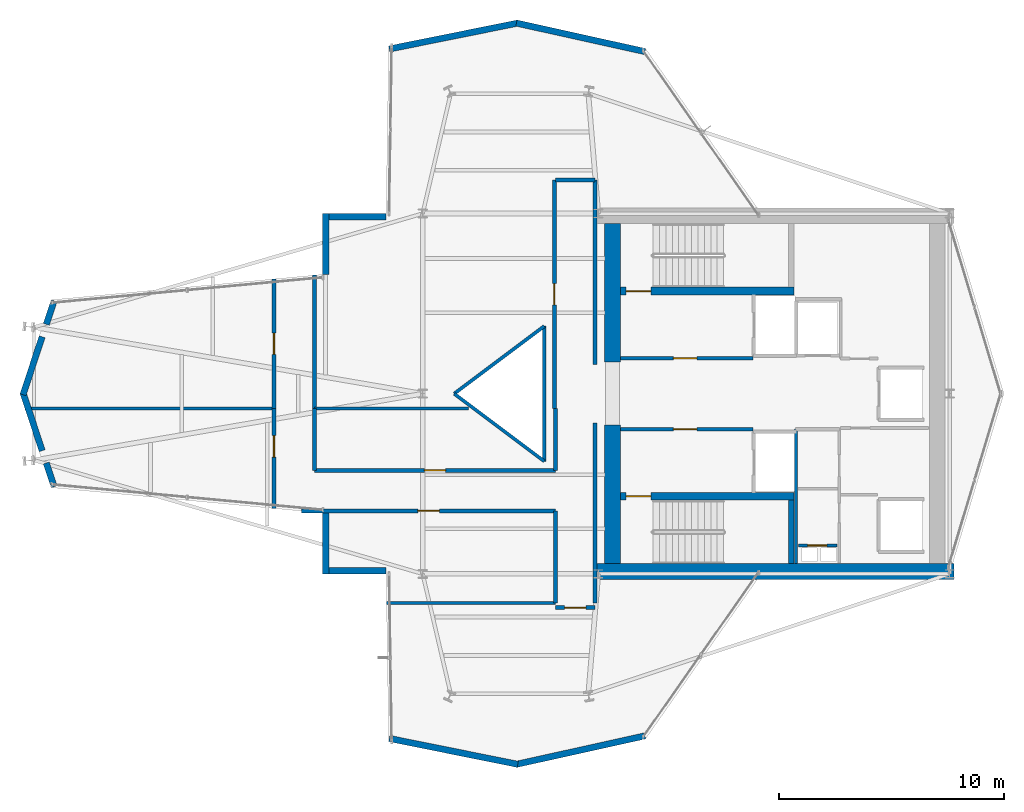
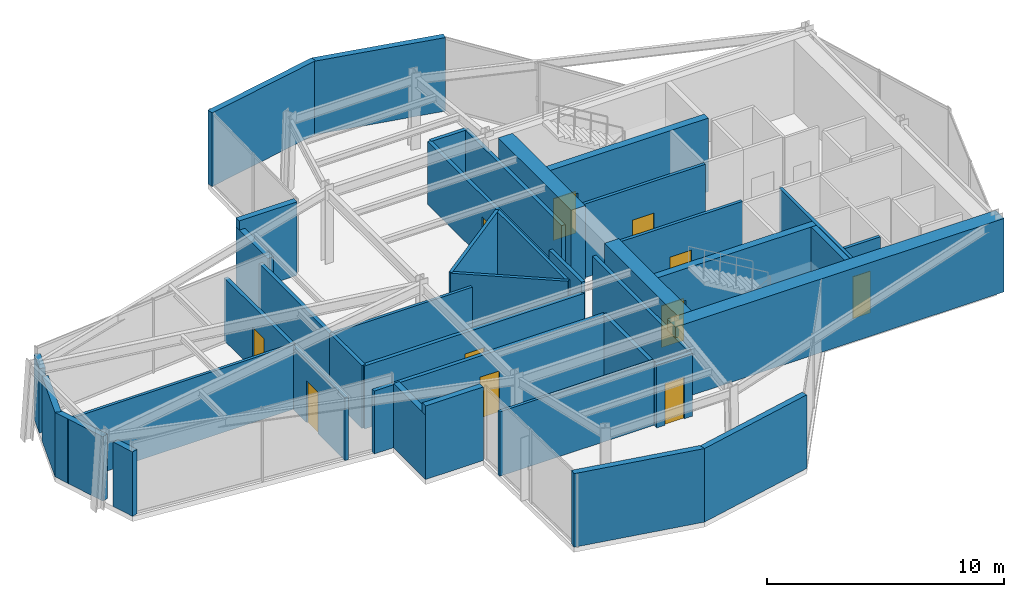
# One storey, part 21 of 23: 41 walls, 11 doors, 11 openings.
"""IFC4 building model written with IfcOpenShell, lengths in metres."""

from ifc_helpers import new_model, si_unit, direction, frame, frame_2d, origin, place, context, subcontext, project, spatial, rectangle, extrude, material, layer, layer_set, type_object, element, fill, save


model = new_model("IFC4")

# Units and contexts
model_context = context("Model", 3, precision=1e-05, world=origin(), true_north=direction((0.0, 1.0)))
body_context = subcontext(model_context, "Body", "Model", "MODEL_VIEW")
ifc_project = project(units=[si_unit("LENGTHUNIT", "METRE"), si_unit("AREAUNIT", "SQUARE_METRE"), si_unit("VOLUMEUNIT", "CUBIC_METRE"), si_unit("PLANEANGLEUNIT", "RADIAN"), si_unit("MASSUNIT", "GRAM", prefix="KILO")], contexts=[model_context])

# Site, building, storey
site_placement = place(None, origin())
site = spatial("IfcSite", under=ifc_project, at=site_placement, CompositionType="ELEMENT")
building_placement = place(site_placement, origin())
building = spatial("IfcBuilding", under=site, at=building_placement, Name="Veymaron Broadcast Tower", CompositionType="ELEMENT")
storey_placement = place(building_placement, frame((0.0, 0.0, 224.25)))
storey = spatial("IfcBuildingStorey", under=building, at=storey_placement, Name="L52", CompositionType="ELEMENT", Elevation=224.25)

# Walls
ifc_material_1 = material(Name="Precast concrete C40/50", Category="concrete")
ifc_layer_1 = layer(ifc_material_1, 0.280029296875)
ifc_layer_set_1 = layer_set([ifc_layer_1], Name="Precast concrete C40/50")
wall_type_1 = type_object("IfcWallType", Name="WALL-EXT-280", PredefinedType="STANDARD", material=ifc_layer_set_1)
wall_1_placement = place(storey_placement, frame((41.072021484375, 39.193359375, 0.0), z_axis=(0.0, 0.0, 1.0), x_axis=(-0.976309738065, 0.216377668346, 0.0)))
element("IfcWall", 1, at=wall_1_placement, inside=storey, type_object=wall_type_1, Name="L52 notched corner facade pier 6-1", PredefinedType="STANDARD", context=body_context, shape_type="SweptSolid", body=[
    extrude(rectangle(XDim=5.845703125, YDim=0.280029296875, at=frame_2d((2.9228515625, 0.0))), origin(), (0.0, 0.0, 1.0), 3.7900390625),
])
wall_2_placement = place(storey_placement, frame((35.422607421875, 40.457763671875, 0.0), z_axis=(0.0, 0.0, 1.0), x_axis=(-0.98030065813, -0.197511062146, 0.0)))
element("IfcWall", 2, at=wall_2_placement, inside=storey, type_object=wall_type_1, Name="L52 notched corner facade pier 7-1", PredefinedType="STANDARD", context=body_context, shape_type="SweptSolid", body=[
    extrude(rectangle(XDim=5.822021484375, YDim=0.280029296875, at=frame_2d((2.9111328125, 0.0))), origin(), (0.0, 0.0, 1.0), 3.7900390625),
])
wall_3_placement = place(storey_placement, frame((29.572509765625, 31.860107421875, 0.0), z_axis=(0.0, 0.0, 1.0), x_axis=(-1.0, 0.0, 0.0)))
element("IfcWall", 3, at=wall_3_placement, inside=storey, type_object=wall_type_1, Name="L52 notched corner facade pier 9-1", PredefinedType="STANDARD", context=body_context, shape_type="SweptSolid", body=[
    extrude(rectangle(XDim=2.8125, YDim=0.280029296875, at=frame_2d((1.40625, 0.0))), origin(), (0.0, 0.0, 1.0), 3.7900390625),
])
wall_4_placement = place(storey_placement, frame((26.89990234375, 32.0, 0.0), z_axis=(0.0, 0.0, 1.0), x_axis=(0.0, -1.0, 0.0)))
element("IfcWall", 4, at=wall_4_placement, inside=storey, type_object=wall_type_1, Name="L52 notched corner facade pier 10-1", PredefinedType="STANDARD", context=body_context, shape_type="SweptSolid", body=[
    extrude(rectangle(XDim=2.69970703125, YDim=0.280029296875, at=frame_2d((1.349853515625, 0.0))), origin(), (0.0, 0.0, 1.0), 3.319091796875),
])
wall_5_placement = place(storey_placement, frame((14.8330078125, 28.126708984375, 0.0), z_axis=(0.0, 0.0, 1.0), x_axis=(-0.314169433691, -0.949366929556, 0.0)))
element("IfcWall", 5, at=wall_5_placement, inside=storey, type_object=wall_type_1, Name="L52 notched corner facade pier 12-1", PredefinedType="STANDARD", context=body_context, shape_type="SweptSolid", body=[
    extrude(rectangle(XDim=1.103515625, YDim=0.280029296875, at=frame_2d((0.5517578125, 0.0))), origin(), (0.0, 0.0, 1.0), 3.319091796875),
])
for number, where, z_axis, x_axis, name in (
    (6, (14.3046875, 26.530029296875, 0.0), (0.0, 0.0, 1.0), (-0.314173954087, -0.949365433631, 0.0), "L52 notched corner facade pier 12-2"),
    (7, (13.452880859375, 24.0439453125, 0.0), (0.0, 0.0, 1.0), (0.314173954087, -0.949365433631, 0.0), "L52 notched corner facade pier 13-1"),
):
    element("IfcWall", number, at=place(storey_placement, frame(where, z_axis=z_axis, x_axis=x_axis)), inside=storey, type_object=wall_type_1, Name=name, PredefinedType="STANDARD", context=body_context, shape_type="SweptSolid", body=[
        extrude(rectangle(XDim=2.711181640625, YDim=0.280029296875, at=frame_2d((1.35546875, 0.0))), origin(), (0.0, 0.0, 1.0), 3.319091796875),
    ])
wall_6_placement = place(storey_placement, frame((14.486328125, 20.9208984375, 0.0), z_axis=(0.0, 0.0, 1.0), x_axis=(0.314169433691, -0.949366929556, 0.0)))
element("IfcWall", 8, at=wall_6_placement, inside=storey, type_object=wall_type_1, Name="L52 notched corner facade pier 13-2", PredefinedType="STANDARD", context=body_context, shape_type="SweptSolid", body=[
    extrude(rectangle(XDim=1.103515625, YDim=0.280029296875, at=frame_2d((0.5517578125, 0.0))), origin(), (0.0, 0.0, 1.0), 3.319091796875),
])
wall_7_placement = place(storey_placement, frame((26.89990234375, 18.69970703125, 0.0), z_axis=(0.0, 0.0, 1.0), x_axis=(0.0, -1.0, 0.0)))
element("IfcWall", 9, at=wall_7_placement, inside=storey, type_object=wall_type_1, Name="L52 notched corner facade pier 15-1", PredefinedType="STANDARD", context=body_context, shape_type="SweptSolid", body=[
    extrude(rectangle(XDim=2.69970703125, YDim=0.280029296875, at=frame_2d((1.349853515625, 0.0))), origin(), (0.0, 0.0, 1.0), 3.319091796875),
])
wall_8_placement = place(storey_placement, frame((26.760009765625, 16.139892578125, 0.0), z_axis=(0.0, 0.0, 1.0), x_axis=(1.0, 0.0, 0.0)))
element("IfcWall", 10, at=wall_8_placement, inside=storey, type_object=wall_type_1, Name="L52 notched corner facade pier 16-1", PredefinedType="STANDARD", context=body_context, shape_type="SweptSolid", body=[
    extrude(rectangle(XDim=2.8125, YDim=0.280029296875, at=frame_2d((1.40625, 0.0))), origin(), (0.0, 0.0, 1.0), 3.7900390625),
])
wall_9_placement = place(storey_placement, frame((29.71533203125, 8.692138671875, 0.0), z_axis=(0.0, 0.0, 1.0), x_axis=(0.98030065813, -0.197511062146, 0.0)))
element("IfcWall", 11, at=wall_9_placement, inside=storey, type_object=wall_type_1, Name="L52 notched corner facade pier 18-1", PredefinedType="STANDARD", context=body_context, shape_type="SweptSolid", body=[
    extrude(rectangle(XDim=5.822021484375, YDim=0.280029296875, at=frame_2d((2.9111328125, 0.0))), origin(), (0.0, 0.0, 1.0), 3.7900390625),
])
wall_10_placement = place(storey_placement, frame((35.36474609375, 7.541748046875, 0.0), z_axis=(0.0, 0.0, 1.0), x_axis=(0.976309738065, 0.216377668346, 0.0)))
element("IfcWall", 12, at=wall_10_placement, inside=storey, type_object=wall_type_1, Name="L52 notched corner facade pier 19-1", PredefinedType="STANDARD", context=body_context, shape_type="SweptSolid", body=[
    extrude(rectangle(XDim=5.845703125, YDim=0.280029296875, at=frame_2d((2.9228515625, 0.0))), origin(), (0.0, 0.0, 1.0), 3.7900390625),
])

# Wall, opening, door
ifc_material_2 = material(Name="Gypsum fireboard and steel stud framing", Category="steel")
ifc_layer_2 = layer(ifc_material_2, 0.14990234375)
ifc_layer_set_2 = layer_set([ifc_layer_2], Name="Gypsum fireboard and steel stud framing")
wall_type_2 = type_object("IfcWallType", Name="WALL-FIRE-150", PredefinedType="PARTITIONING", material=ifc_layer_set_2)
wall_11_placement = place(storey_placement, frame((39.97998046875, 25.574951171875, 0.0), z_axis=(0.0, 0.0, 1.0), x_axis=(1.0, 0.0, 0.0)))
wall_11 = element("IfcWall", 13, at=wall_11_placement, inside=storey, type_object=wall_type_2, Name="L52 partition IW-L52-FFLN-S", PredefinedType="PARTITIONING", context=body_context, shape_type="SweptSolid", body=[
    extrude(rectangle(XDim=5.89990234375, YDim=0.14990234375, at=frame_2d((2.949951171875, 0.0))), origin(), (0.0, 0.0, 1.0), 3.7900390625),
])
opening_1_placement = place(wall_11_placement, frame((2.35009765625, 0.0, 0.0)))
opening_1 = element("IfcOpeningElement", 14, at=opening_1_placement, cuts=wall_11, Name="Opening ID-FL1", PredefinedType="OPENING", context=body_context, shape_type="SweptSolid", body=[
    extrude(rectangle(XDim=1.050048828125, YDim=2.14990234375, at=frame_2d((0.52490234375, 1.074951171875))), frame((0.0, 0.0849609375, 0.0), z_axis=(0.0, -1.0, 0.0), x_axis=(1.0, 0.0, 0.0)), (0.0, 0.0, 1.0), 0.169921875),
])
ifc_material_3 = material(Name="Fire-rated painted hollow steel ASTM A653", Category="steel")
door_type_1 = type_object("IfcDoorType", Name="DOOR-FIRE-1050", OperationType="NOTDEFINED", PredefinedType="DOOR", material=ifc_material_3)
door_1_placement = place(opening_1_placement, origin())
door_1 = element("IfcDoor", 15, at=door_1_placement, inside=storey, type_object=door_type_1, Name="L52 door DR-L52-FFLN", OperationType="SINGLE_SWING_LEFT", OverallHeight=2.14990234375, OverallWidth=1.050048828125, PredefinedType="DOOR", context=body_context, shape_type="SweptSolid", body=[
    extrude(rectangle(XDim=1.050048828125, YDim=2.14990234375, at=frame_2d((0.52490234375, 1.074951171875))), frame((0.0, 0.02490234375, 0.0), z_axis=(0.0, -1.0, 0.0), x_axis=(1.0, 0.0, 0.0)), (0.0, 0.0, 1.0), 0.050048828125),
])
fill(opening_1, door_1)

wall_12_placement = place(storey_placement, frame((39.97998046875, 22.425048828125, 0.0), z_axis=(0.0, 0.0, 1.0), x_axis=(1.0, 0.0, 0.0)))
wall_12 = element("IfcWall", 16, at=wall_12_placement, inside=storey, type_object=wall_type_2, Name="L52 partition IW-L52-FFLS-N", PredefinedType="PARTITIONING", context=body_context, shape_type="SweptSolid", body=[
    extrude(rectangle(XDim=5.89990234375, YDim=0.14990234375, at=frame_2d((2.949951171875, 0.0))), origin(), (0.0, 0.0, 1.0), 3.7900390625),
])
opening_2_placement = place(wall_12_placement, frame((2.35009765625, 0.0, 0.0)))
opening_2 = element("IfcOpeningElement", 17, at=opening_2_placement, cuts=wall_12, Name="Opening ID-FL1", PredefinedType="OPENING", context=body_context, shape_type="SweptSolid", body=[
    extrude(rectangle(XDim=1.050048828125, YDim=2.14990234375, at=frame_2d((0.52490234375, 1.074951171875))), frame((0.0, 0.0849609375, 0.0), z_axis=(0.0, -1.0, 0.0), x_axis=(1.0, 0.0, 0.0)), (0.0, 0.0, 1.0), 0.169921875),
])
door_2_placement = place(opening_2_placement, frame((1.050048828125, 0.0, 0.0), z_axis=(0.0, 0.0, 1.0), x_axis=(-1.0, 0.0, 0.0)))
door_2 = element("IfcDoor", 18, at=door_2_placement, inside=storey, type_object=door_type_1, Name="L52 door DR-L52-FFLS", OperationType="SINGLE_SWING_RIGHT", OverallHeight=2.14990234375, OverallWidth=1.050048828125, PredefinedType="DOOR", context=body_context, shape_type="SweptSolid", body=[
    extrude(rectangle(XDim=1.050048828125, YDim=2.14990234375, at=frame_2d((0.52490234375, 1.074951171875))), frame((0.0, 0.02490234375, 0.0), z_axis=(0.0, -1.0, 0.0), x_axis=(1.0, 0.0, 0.0)), (0.0, 0.0, 1.0), 0.050048828125),
])
fill(opening_2, door_2)

wall_13_placement = place(storey_placement, frame((47.8798828125, 17.260009765625, 0.0), z_axis=(0.0, 0.0, 1.0), x_axis=(1.0, 0.0, 0.0)))
wall_13 = element("IfcWall", 19, at=wall_13_placement, inside=storey, type_object=wall_type_2, Name="L52 partition IW-L52-RIS-N", PredefinedType="PARTITIONING", context=body_context, shape_type="SweptSolid", body=[
    extrude(rectangle(XDim=1.72021484375, YDim=0.14990234375, at=frame_2d((0.860107421875, 0.0))), origin(), (0.0, 0.0, 1.0), 3.7900390625),
])
opening_3_placement = place(wall_13_placement, frame((0.419921875, 0.0, 0.0)))
opening_3 = element("IfcOpeningElement", 20, at=opening_3_placement, cuts=wall_13, Name="Opening ID-RS1", PredefinedType="OPENING", context=body_context, shape_type="SweptSolid", body=[
    extrude(rectangle(XDim=0.85009765625, YDim=2.14990234375, at=frame_2d((0.425048828125, 1.074951171875))), frame((0.0, 0.0849609375, 0.0), z_axis=(0.0, -1.0, 0.0), x_axis=(1.0, 0.0, 0.0)), (0.0, 0.0, 1.0), 0.169921875),
])
ifc_material_4 = material(Name="Fire-rated powder-coated steel riser leaf", Category="steel")
door_type_2 = type_object("IfcDoorType", Name="DOOR-RIS-850", OperationType="NOTDEFINED", PredefinedType="TRAPDOOR", material=ifc_material_4)
door_3_placement = place(opening_3_placement, origin())
door_3 = element("IfcDoor", 21, at=door_3_placement, inside=storey, type_object=door_type_2, Name="L52 door DR-L52-RIS", OperationType="SINGLE_SWING_LEFT", OverallHeight=2.14990234375, OverallWidth=0.85009765625, PredefinedType="TRAPDOOR", context=body_context, shape_type="SweptSolid", body=[
    extrude(rectangle(XDim=0.85009765625, YDim=2.14990234375, at=frame_2d((0.425048828125, 1.074951171875))), frame((0.0, 0.02490234375, 0.0), z_axis=(0.0, -1.0, 0.0), x_axis=(1.0, 0.0, 0.0)), (0.0, 0.0, 1.0), 0.050048828125),
])
fill(opening_3, door_3)

# Wall
wall_14_placement = place(storey_placement, frame((47.780029296875, 16.449951171875, 0.0), z_axis=(0.0, 0.0, 1.0), x_axis=(0.0, 1.0, 0.0)))
element("IfcWall", 22, at=wall_14_placement, inside=storey, type_object=wall_type_2, Name="L52 partition IW-L52-SM-W", PredefinedType="PARTITIONING", context=body_context, shape_type="SweptSolid", body=[
    extrude(rectangle(XDim=5.97509765625, YDim=0.14990234375, at=frame_2d((2.987548828125, 0.0))), origin(), (0.0, 0.0, 1.0), 3.7900390625),
])

# Wall, opening, door
ifc_material_5 = material(Name="Concrete C40/50", Category="concrete")
ifc_layer_3 = layer(ifc_material_5, 0.179931640625)
ifc_layer_set_3 = layer_set([ifc_layer_3], Name="Concrete C40/50")
wall_type_3 = type_object("IfcWallType", Name="WALL-FIRE-180", PredefinedType="SOLIDWALL", material=ifc_layer_set_3)
wall_15_placement = place(storey_placement, frame((37.10009765625, 14.5, 0.0), z_axis=(0.0, 0.0, 1.0), x_axis=(1.0, 0.0, 0.0)))
wall_15 = element("IfcWall", 23, at=wall_15_placement, inside=storey, type_object=wall_type_3, Name="L52 partition IW-L52-P02", PredefinedType="SOLIDWALL", context=body_context, shape_type="SweptSolid", body=[
    extrude(rectangle(XDim=1.75, YDim=0.179931640625, at=frame_2d((0.875, 0.0))), origin(), (0.0, 0.0, 1.0), 3.240966796875),
])
opening_4_placement = place(wall_15_placement, frame((0.39990234375, 0.0, 0.0)))
opening_4 = element("IfcOpeningElement", 24, at=opening_4_placement, cuts=wall_15, Name="Opening ID-RM1", PredefinedType="OPENING", context=body_context, shape_type="SweptSolid", body=[
    extrude(rectangle(XDim=0.949951171875, YDim=2.14990234375, at=frame_2d((0.47509765625, 1.074951171875))), frame((0.0, 0.10009765625, 0.0), z_axis=(0.0, -1.0, 0.0), x_axis=(1.0, 0.0, 0.0)), (0.0, 0.0, 1.0), 0.199951171875),
])
ifc_material_6 = material(Name="Acoustic solid-core European oak veneer timber", Category="wood")
door_type_3 = type_object("IfcDoorType", Name="DOOR-INT-950", OperationType="NOTDEFINED", PredefinedType="DOOR", material=ifc_material_6)
door_4_placement = place(opening_4_placement, frame((0.949951171875, 0.0, 0.0), z_axis=(0.0, 0.0, 1.0), x_axis=(-1.0, 0.0, 0.0)))
door_4 = element("IfcDoor", 25, at=door_4_placement, inside=storey, type_object=door_type_3, Name="L52 door DR-L52-P02", OperationType="SINGLE_SWING_LEFT", OverallHeight=2.14990234375, OverallWidth=0.949951171875, PredefinedType="DOOR", context=body_context, shape_type="SweptSolid", body=[
    extrude(rectangle(XDim=0.949951171875, YDim=2.14990234375, at=frame_2d((0.47509765625, 1.074951171875))), frame((0.0, 0.02490234375, 0.0), z_axis=(0.0, -1.0, 0.0), x_axis=(1.0, 0.0, 0.0)), (0.0, 0.0, 1.0), 0.050048828125),
])
fill(opening_4, door_4)

wall_16_placement = place(storey_placement, frame((25.828125, 18.800048828125, 0.0), z_axis=(0.0, 0.0, 1.0), x_axis=(1.0, 0.0, 0.0)))
wall_16 = element("IfcWall", 26, at=wall_16_placement, inside=storey, type_object=wall_type_3, Name="L52 partition IW-L52-P03", PredefinedType="SOLIDWALL", context=body_context, shape_type="SweptSolid", body=[
    extrude(rectangle(XDim=11.27197265625, YDim=0.179931640625, at=frame_2d((5.635986328125, 0.0))), origin(), (0.0, 0.0, 1.0), 3.240966796875),
])
opening_5_placement = place(wall_16_placement, frame((5.160888671875, 0.0, 0.0)))
opening_5 = element("IfcOpeningElement", 27, at=opening_5_placement, cuts=wall_16, Name="Opening ID-RM1", PredefinedType="OPENING", context=body_context, shape_type="SweptSolid", body=[
    extrude(rectangle(XDim=0.949951171875, YDim=2.14990234375, at=frame_2d((0.47509765625, 1.074951171875))), frame((0.0, 0.10009765625, 0.0), z_axis=(0.0, -1.0, 0.0), x_axis=(1.0, 0.0, 0.0)), (0.0, 0.0, 1.0), 0.199951171875),
])
door_5_placement = place(opening_5_placement, frame((0.949951171875, 0.0, 0.0), z_axis=(0.0, 0.0, 1.0), x_axis=(-1.0, 0.0, 0.0)))
door_5 = element("IfcDoor", 28, at=door_5_placement, inside=storey, type_object=door_type_3, Name="L52 door DR-L52-P03", OperationType="SINGLE_SWING_RIGHT", OverallHeight=2.14990234375, OverallWidth=0.949951171875, PredefinedType="DOOR", context=body_context, shape_type="SweptSolid", body=[
    extrude(rectangle(XDim=0.949951171875, YDim=2.14990234375, at=frame_2d((0.47509765625, 1.074951171875))), frame((0.0, 0.02490234375, 0.0), z_axis=(0.0, -1.0, 0.0), x_axis=(1.0, 0.0, 0.0)), (0.0, 0.0, 1.0), 0.050048828125),
])
fill(opening_5, door_5)

wall_17_placement = place(storey_placement, frame((24.60009765625, 18.90185546875, 0.0), z_axis=(0.0, 0.0, 1.0), x_axis=(0.0, 1.0, 0.0)))
wall_17 = element("IfcWall", 29, at=wall_17_placement, inside=storey, type_object=wall_type_3, Name="L52 partition IW-L52-P05", PredefinedType="SOLIDWALL", context=body_context, shape_type="SweptSolid", body=[
    extrude(rectangle(XDim=4.43408203125, YDim=0.179931640625, at=frame_2d((2.217041015625, 0.0))), origin(), (0.0, 0.0, 1.0), 3.240966796875),
])
opening_6_placement = place(wall_17_placement, frame((2.281982421875, 0.0, 0.0)))
opening_6 = element("IfcOpeningElement", 30, at=opening_6_placement, cuts=wall_17, Name="Opening ID-RM1", PredefinedType="OPENING", context=body_context, shape_type="SweptSolid", body=[
    extrude(rectangle(XDim=0.949951171875, YDim=2.14990234375, at=frame_2d((0.47509765625, 1.074951171875))), frame((0.0, 0.10009765625, 0.0), z_axis=(0.0, -1.0, 0.0), x_axis=(1.0, 0.0, 0.0)), (0.0, 0.0, 1.0), 0.199951171875),
])
door_6_placement = place(opening_6_placement, origin())
door_6 = element("IfcDoor", 31, at=door_6_placement, inside=storey, type_object=door_type_3, Name="L52 door DR-L52-P05", OperationType="SINGLE_SWING_RIGHT", OverallHeight=2.14990234375, OverallWidth=0.949951171875, PredefinedType="DOOR", context=body_context, shape_type="SweptSolid", body=[
    extrude(rectangle(XDim=0.949951171875, YDim=2.14990234375, at=frame_2d((0.47509765625, 1.074951171875))), frame((0.0, 0.02490234375, 0.0), z_axis=(0.0, -1.0, 0.0), x_axis=(1.0, 0.0, 0.0)), (0.0, 0.0, 1.0), 0.050048828125),
])
fill(opening_6, door_6)

wall_18_placement = place(storey_placement, frame((26.39990234375, 20.60009765625, 0.0), z_axis=(0.0, 0.0, 1.0), x_axis=(1.0, 0.0, 0.0)))
wall_18 = element("IfcWall", 32, at=wall_18_placement, inside=storey, type_object=wall_type_3, Name="L52 partition IW-L52-P06", PredefinedType="SOLIDWALL", context=body_context, shape_type="SweptSolid", body=[
    extrude(rectangle(XDim=10.7001953125, YDim=0.179931640625, at=frame_2d((5.35009765625, 0.0))), origin(), (0.0, 0.0, 1.0), 3.240966796875),
])
opening_7_placement = place(wall_18_placement, frame((4.875, 0.0, 0.0)))
opening_7 = element("IfcOpeningElement", 33, at=opening_7_placement, cuts=wall_18, Name="Opening ID-RM1", PredefinedType="OPENING", context=body_context, shape_type="SweptSolid", body=[
    extrude(rectangle(XDim=0.949951171875, YDim=2.14990234375, at=frame_2d((0.47509765625, 1.074951171875))), frame((0.0, 0.10009765625, 0.0), z_axis=(0.0, -1.0, 0.0), x_axis=(1.0, 0.0, 0.0)), (0.0, 0.0, 1.0), 0.199951171875),
])
door_7_placement = place(opening_7_placement, origin())
door_7 = element("IfcDoor", 34, at=door_7_placement, inside=storey, type_object=door_type_3, Name="L52 door DR-L52-P06", OperationType="SINGLE_SWING_LEFT", OverallHeight=2.14990234375, OverallWidth=0.949951171875, PredefinedType="DOOR", context=body_context, shape_type="SweptSolid", body=[
    extrude(rectangle(XDim=0.949951171875, YDim=2.14990234375, at=frame_2d((0.47509765625, 1.074951171875))), frame((0.0, 0.02490234375, 0.0), z_axis=(0.0, -1.0, 0.0), x_axis=(1.0, 0.0, 0.0)), (0.0, 0.0, 1.0), 0.050048828125),
])
fill(opening_7, door_7)

wall_19_placement = place(storey_placement, frame((24.60009765625, 23.3359375, 0.0), z_axis=(0.0, 0.0, 1.0), x_axis=(0.0, 1.0, 0.0)))
wall_19 = element("IfcWall", 35, at=wall_19_placement, inside=storey, type_object=wall_type_3, Name="L52 partition IW-L52-P09", PredefinedType="SOLIDWALL", context=body_context, shape_type="SweptSolid", body=[
    extrude(rectangle(XDim=5.76220703125, YDim=0.179931640625, at=frame_2d((2.881103515625, 0.0))), origin(), (0.0, 0.0, 1.0), 3.240966796875),
])
opening_8_placement = place(wall_19_placement, frame((2.406005859375, 0.0, 0.0)))
opening_8 = element("IfcOpeningElement", 36, at=opening_8_placement, cuts=wall_19, Name="Opening ID-RM1", PredefinedType="OPENING", context=body_context, shape_type="SweptSolid", body=[
    extrude(rectangle(XDim=0.949951171875, YDim=2.14990234375, at=frame_2d((0.47509765625, 1.074951171875))), frame((0.0, 0.10009765625, 0.0), z_axis=(0.0, -1.0, 0.0), x_axis=(1.0, 0.0, 0.0)), (0.0, 0.0, 1.0), 0.199951171875),
])
door_8_placement = place(opening_8_placement, origin())
door_8 = element("IfcDoor", 37, at=door_8_placement, inside=storey, type_object=door_type_3, Name="L52 door DR-L52-P09", OperationType="SINGLE_SWING_RIGHT", OverallHeight=2.14990234375, OverallWidth=0.949951171875, PredefinedType="DOOR", context=body_context, shape_type="SweptSolid", body=[
    extrude(rectangle(XDim=0.949951171875, YDim=2.14990234375, at=frame_2d((0.47509765625, 1.074951171875))), frame((0.0, 0.02490234375, 0.0), z_axis=(0.0, -1.0, 0.0), x_axis=(1.0, 0.0, 0.0)), (0.0, 0.0, 1.0), 0.050048828125),
])
fill(opening_8, door_8)

wall_20_placement = place(storey_placement, frame((37.050048828125, 23.3359375, 0.0), z_axis=(0.0, 0.0, 1.0), x_axis=(0.0, 1.0, 0.0)))
wall_20 = element("IfcWall", 38, at=wall_20_placement, inside=storey, type_object=wall_type_3, Name="L52 partition IW-L52-P10", PredefinedType="SOLIDWALL", context=body_context, shape_type="SweptSolid", body=[
    extrude(rectangle(XDim=10.1640625, YDim=0.179931640625, at=frame_2d((5.08203125, 0.0))), origin(), (0.0, 0.0, 1.0), 3.240966796875),
])
opening_9_placement = place(wall_20_placement, frame((4.60693359375, 0.0, 0.0)))
opening_9 = element("IfcOpeningElement", 39, at=opening_9_placement, cuts=wall_20, Name="Opening ID-RM1", PredefinedType="OPENING", context=body_context, shape_type="SweptSolid", body=[
    extrude(rectangle(XDim=0.949951171875, YDim=2.14990234375, at=frame_2d((0.47509765625, 1.074951171875))), frame((0.0, 0.10009765625, 0.0), z_axis=(0.0, -1.0, 0.0), x_axis=(1.0, 0.0, 0.0)), (0.0, 0.0, 1.0), 0.199951171875),
])
door_9_placement = place(opening_9_placement, origin())
door_9 = element("IfcDoor", 40, at=door_9_placement, inside=storey, type_object=door_type_3, Name="L52 door DR-L52-P10", OperationType="SINGLE_SWING_LEFT", OverallHeight=2.14990234375, OverallWidth=0.949951171875, PredefinedType="DOOR", context=body_context, shape_type="SweptSolid", body=[
    extrude(rectangle(XDim=0.949951171875, YDim=2.14990234375, at=frame_2d((0.47509765625, 1.074951171875))), frame((0.0, 0.02490234375, 0.0), z_axis=(0.0, -1.0, 0.0), x_axis=(1.0, 0.0, 0.0)), (0.0, 0.0, 1.0), 0.050048828125),
])
fill(opening_9, door_9)

# Walls
wall_21_placement = place(storey_placement, frame((38.85009765625, 14.70703125, 0.0), z_axis=(0.0, 0.0, 1.0), x_axis=(0.0, 1.0, 0.0)))
element("IfcWall", 41, at=wall_21_placement, inside=storey, type_object=wall_type_3, Name="L52 partition IW-L52-P01", PredefinedType="SOLIDWALL", context=body_context, shape_type="SweptSolid", body=[
    extrude(rectangle(XDim=7.992919921875, YDim=0.179931640625, at=frame_2d((3.99658203125, 0.0))), origin(), (0.0, 0.0, 1.0), 3.240966796875),
])
wall_22_placement = place(storey_placement, frame((37.10009765625, 14.70703125, 0.0), z_axis=(0.0, 0.0, 1.0), x_axis=(0.0, 1.0, 0.0)))
element("IfcWall", 42, at=wall_22_placement, inside=storey, type_object=wall_type_3, Name="L52 partition IW-L52-P04", PredefinedType="SOLIDWALL", context=body_context, shape_type="SweptSolid", body=[
    extrude(rectangle(XDim=4.093017578125, YDim=0.179931640625, at=frame_2d((2.04638671875, 0.0))), origin(), (0.0, 0.0, 1.0), 3.240966796875),
])
wall_23_placement = place(storey_placement, frame((26.39990234375, 20.60009765625, 0.0), z_axis=(0.0, 0.0, 1.0), x_axis=(0.0, 1.0, 0.0)))
element("IfcWall", 43, at=wall_23_placement, inside=storey, type_object=wall_type_3, Name="L52 partition IW-L52-P07", PredefinedType="SOLIDWALL", context=body_context, shape_type="SweptSolid", body=[
    extrude(rectangle(XDim=2.73583984375, YDim=0.179931640625, at=frame_2d((1.367919921875, 0.0))), origin(), (0.0, 0.0, 1.0), 3.240966796875),
])
wall_24_placement = place(storey_placement, frame((37.10009765625, 20.60009765625, 0.0), z_axis=(0.0, 0.0, 1.0), x_axis=(0.0, 1.0, 0.0)))
element("IfcWall", 44, at=wall_24_placement, inside=storey, type_object=wall_type_3, Name="L52 partition IW-L52-P08", PredefinedType="SOLIDWALL", context=body_context, shape_type="SweptSolid", body=[
    extrude(rectangle(XDim=2.73583984375, YDim=0.179931640625, at=frame_2d((1.367919921875, 0.0))), origin(), (0.0, 0.0, 1.0), 3.7900390625),
])
wall_25_placement = place(storey_placement, frame((38.85009765625, 25.300048828125, 0.0), z_axis=(0.0, 0.0, 1.0), x_axis=(0.0, 1.0, 0.0)))
element("IfcWall", 45, at=wall_25_placement, inside=storey, type_object=wall_type_3, Name="L52 partition IW-L52-P11", PredefinedType="SOLIDWALL", context=body_context, shape_type="SweptSolid", body=[
    extrude(rectangle(XDim=8.199951171875, YDim=0.179931640625, at=frame_2d((4.10009765625, 0.0))), origin(), (0.0, 0.0, 1.0), 3.240966796875),
])
wall_26_placement = place(storey_placement, frame((26.39990234375, 23.3359375, 0.0), z_axis=(0.0, 0.0, 1.0), x_axis=(0.0, 1.0, 0.0)))
element("IfcWall", 46, at=wall_26_placement, inside=storey, type_object=wall_type_3, Name="L52 partition IW-L52-P12", PredefinedType="SOLIDWALL", context=body_context, shape_type="SweptSolid", body=[
    extrude(rectangle(XDim=5.9306640625, YDim=0.179931640625, at=frame_2d((2.96533203125, 0.0))), origin(), (0.0, 0.0, 1.0), 3.240966796875),
])
wall_27_placement = place(storey_placement, frame((37.10009765625, 33.5, 0.0), z_axis=(0.0, 0.0, 1.0), x_axis=(1.0, 0.0, 0.0)))
element("IfcWall", 47, at=wall_27_placement, inside=storey, type_object=wall_type_3, Name="L52 partition IW-L52-P13", PredefinedType="SOLIDWALL", context=body_context, shape_type="SweptSolid", body=[
    extrude(rectangle(XDim=1.75, YDim=0.179931640625, at=frame_2d((0.875, 0.0))), origin(), (0.0, 0.0, 1.0), 3.240966796875),
])
ifc_material_7 = material(Name="Fire-rated laminated glass in aluminium frame", Category="aluminium")
ifc_layer_4 = layer(ifc_material_7, 0.14990234375)
ifc_layer_set_4 = layer_set([ifc_layer_4], Name="Fire-rated laminated glass in aluminium frame")
wall_type_4 = type_object("IfcWallType", Name="WALL-GLZ-150", PredefinedType="MOVABLE", material=ifc_layer_set_4)
wall_28_placement = place(storey_placement, frame((32.60009765625, 24.0, 0.0), z_axis=(0.0, 0.0, 1.0), x_axis=(0.8, -0.6, 0.0)))
element("IfcWall", 48, at=wall_28_placement, inside=storey, type_object=wall_type_4, Name="L52 partition IW-L52-ATR1", PredefinedType="MOVABLE", context=body_context, shape_type="SweptSolid", body=[
    extrude(rectangle(XDim=5.0, YDim=0.14990234375, at=frame_2d((2.5, 0.0))), origin(), (0.0, 0.0, 1.0), 3.7900390625),
])
wall_29_placement = place(storey_placement, frame((36.60009765625, 21.0, 0.0), z_axis=(0.0, 0.0, 1.0), x_axis=(0.0, 1.0, 0.0)))
element("IfcWall", 49, at=wall_29_placement, inside=storey, type_object=wall_type_4, Name="L52 partition IW-L52-ATR2", PredefinedType="MOVABLE", context=body_context, shape_type="SweptSolid", body=[
    extrude(rectangle(XDim=6.0, YDim=0.14990234375, at=frame_2d((3.0, 0.0))), origin(), (0.0, 0.0, 1.0), 3.7900390625),
])
wall_30_placement = place(storey_placement, frame((36.60009765625, 27.0, 0.0), z_axis=(0.0, 0.0, 1.0), x_axis=(-0.8, -0.6, 0.0)))
element("IfcWall", 50, at=wall_30_placement, inside=storey, type_object=wall_type_4, Name="L52 partition IW-L52-ATR3", PredefinedType="MOVABLE", context=body_context, shape_type="SweptSolid", body=[
    extrude(rectangle(XDim=5.0, YDim=0.14990234375, at=frame_2d((2.5, 0.0))), origin(), (0.0, 0.0, 1.0), 3.7900390625),
])
ifc_material_8 = material(Name="Double-layer acoustic gypsum and stud", Category="gypsum")
ifc_layer_5 = layer(ifc_material_8, 0.135009765625)
ifc_layer_set_5 = layer_set([ifc_layer_5], Name="Double-layer acoustic gypsum and stud")
wall_type_5 = type_object("IfcWallType", Name="WALL-PART-135", PredefinedType="PARTITIONING", material=ifc_layer_set_5)
wall_31_placement = place(storey_placement, frame((29.59228515625, 14.70703125, 0.0), z_axis=(0.0, 0.0, 1.0), x_axis=(1.0, 0.0, 0.0)))
element("IfcWall", 51, at=wall_31_placement, inside=storey, type_object=wall_type_5, Name="L52 partition IW-L52-P14", PredefinedType="PARTITIONING", context=body_context, shape_type="SweptSolid", body=[
    extrude(rectangle(XDim=7.5078125, YDim=0.135009765625, at=frame_2d((3.75390625, 0.0))), origin(), (0.0, 0.0, 1.0), 3.319091796875),
])
wall_32_placement = place(storey_placement, frame((13.539794921875, 23.3359375, 0.0), z_axis=(0.0, 0.0, 1.0), x_axis=(1.0, 0.0, 0.0)))
element("IfcWall", 52, at=wall_32_placement, inside=storey, type_object=wall_type_5, Name="L52 partition IW-L52-P15", PredefinedType="PARTITIONING", context=body_context, shape_type="SweptSolid", body=[
    extrude(rectangle(XDim=11.060302734375, YDim=0.135009765625, at=frame_2d((5.5302734375, 0.0))), origin(), (0.0, 0.0, 1.0), 3.319091796875),
])
wall_33_placement = place(storey_placement, frame((26.39990234375, 23.3359375, 0.0), z_axis=(0.0, 0.0, 1.0), x_axis=(1.0, 0.0, 0.0)))
element("IfcWall", 53, at=wall_33_placement, inside=storey, type_object=wall_type_5, Name="L52 partition IW-L52-P16", PredefinedType="PARTITIONING", context=body_context, shape_type="SweptSolid", body=[
    extrude(rectangle(XDim=6.83544921875, YDim=0.135009765625, at=frame_2d((3.417724609375, 0.0))), origin(), (0.0, 0.0, 1.0), 3.240966796875),
])
ifc_material_9 = material(Name="Concrete C50/60", Category="concrete")
ifc_layer_6 = layer(ifc_material_9, 0.25)
ifc_layer_set_6 = layer_set([ifc_layer_6], Name="Concrete C50/60")
wall_type_6 = type_object("IfcWallType", Name="WALL-SHEAR-250", PredefinedType="SHEAR", material=ifc_layer_set_6)
wall_34_placement = place(storey_placement, frame((47.56494140625, 16.449951171875, 0.0), z_axis=(0.0, 0.0, 1.0), x_axis=(0.0, 1.0, 0.0)))
element("IfcWall", 54, at=wall_34_placement, inside=storey, type_object=wall_type_6, Name="L52 Core Wall south stair east shear", PredefinedType="SHEAR", context=body_context, shape_type="SweptSolid", body=[
    extrude(rectangle(XDim=2.820068359375, YDim=0.25, at=frame_2d((1.41015625, 0.0))), origin(), (0.0, 0.0, 1.0), 3.7900390625),
])

# Wall, opening, door
ifc_layer_7 = layer(ifc_material_9, 0.35009765625)
ifc_layer_set_7 = layer_set([ifc_layer_7], Name="Concrete C50/60")
wall_type_7 = type_object("IfcWallType", Name="WALL-SHEAR-350", PredefinedType="SHEAR", material=ifc_layer_set_7)
wall_35_placement = place(storey_placement, frame((39.97998046875, 28.554931640625, 0.0), z_axis=(0.0, 0.0, 1.0), x_axis=(1.0, 0.0, 0.0)))
wall_35 = element("IfcWall", 55, at=wall_35_placement, inside=storey, type_object=wall_type_7, Name="L52 Core Wall north stair spine", PredefinedType="SHEAR", context=body_context, shape_type="SweptSolid", body=[
    extrude(rectangle(XDim=7.7099609375, YDim=0.35009765625, at=frame_2d((3.85498046875, 0.0))), origin(), (0.0, 0.0, 1.0), 3.7900390625),
])
opening_10_placement = place(wall_35_placement, frame((0.25, 0.0, 0.0)))
opening_10 = element("IfcOpeningElement", 56, at=opening_10_placement, cuts=wall_35, Name="Opening ID-ST1", PredefinedType="OPENING", context=body_context, shape_type="SweptSolid", body=[
    extrude(rectangle(XDim=1.10009765625, YDim=2.14990234375, at=frame_2d((0.550048828125, 1.074951171875))), frame((0.0, 0.18505859375, 0.0), z_axis=(0.0, -1.0, 0.0), x_axis=(1.0, 0.0, 0.0)), (0.0, 0.0, 1.0), 0.3701171875),
])
door_type_4 = type_object("IfcDoorType", Name="DOOR-STAIR-1100", OperationType="NOTDEFINED", PredefinedType="DOOR", material=ifc_material_3)
door_10_placement = place(opening_10_placement, origin())
door_10 = element("IfcDoor", 57, at=door_10_placement, inside=storey, type_object=door_type_4, Name="L52 exit stair ST1 fire door", OperationType="SINGLE_SWING_LEFT", OverallHeight=2.14990234375, OverallWidth=1.10009765625, PredefinedType="DOOR", context=body_context, shape_type="SweptSolid", body=[
    extrude(rectangle(XDim=1.10009765625, YDim=2.14990234375, at=frame_2d((0.550048828125, 1.074951171875))), frame((0.0, 0.02490234375, 0.0), z_axis=(0.0, -1.0, 0.0), x_axis=(1.0, 0.0, 0.0)), (0.0, 0.0, 1.0), 0.050048828125),
])
fill(opening_10, door_10)

wall_36_placement = place(storey_placement, frame((39.97998046875, 19.445068359375, 0.0), z_axis=(0.0, 0.0, 1.0), x_axis=(1.0, 0.0, 0.0)))
wall_36 = element("IfcWall", 58, at=wall_36_placement, inside=storey, type_object=wall_type_7, Name="L52 Core Wall south stair spine", PredefinedType="SHEAR", context=body_context, shape_type="SweptSolid", body=[
    extrude(rectangle(XDim=7.7099609375, YDim=0.35009765625, at=frame_2d((3.85498046875, 0.0))), origin(), (0.0, 0.0, 1.0), 3.7900390625),
])
opening_11_placement = place(wall_36_placement, frame((0.25, 0.0, 0.0)))
opening_11 = element("IfcOpeningElement", 59, at=opening_11_placement, cuts=wall_36, Name="Opening ID-ST1", PredefinedType="OPENING", context=body_context, shape_type="SweptSolid", body=[
    extrude(rectangle(XDim=1.10009765625, YDim=2.14990234375, at=frame_2d((0.550048828125, 1.074951171875))), frame((0.0, 0.18505859375, 0.0), z_axis=(0.0, -1.0, 0.0), x_axis=(1.0, 0.0, 0.0)), (0.0, 0.0, 1.0), 0.3701171875),
])
door_11_placement = place(opening_11_placement, frame((1.10009765625, 0.0, 0.0), z_axis=(0.0, 0.0, 1.0), x_axis=(-1.0, 0.0, 0.0)))
door_11 = element("IfcDoor", 60, at=door_11_placement, inside=storey, type_object=door_type_4, Name="L52 exit stair ST2 fire door", OperationType="SINGLE_SWING_RIGHT", OverallHeight=2.14990234375, OverallWidth=1.10009765625, PredefinedType="DOOR", context=body_context, shape_type="SweptSolid", body=[
    extrude(rectangle(XDim=1.10009765625, YDim=2.14990234375, at=frame_2d((0.550048828125, 1.074951171875))), frame((0.0, 0.02490234375, 0.0), z_axis=(0.0, -1.0, 0.0), x_axis=(1.0, 0.0, 0.0)), (0.0, 0.0, 1.0), 0.050048828125),
])
fill(opening_11, door_11)

# Walls
ifc_material_10 = material(Name="Concrete C60/75", Category="concrete")
ifc_layer_8 = layer(ifc_material_10, 0.699951171875)
ifc_layer_set_8 = layer_set([ifc_layer_8], Name="Concrete C60/75")
wall_type_8 = type_object("IfcWallType", Name="WALL-SHEAR-700", PredefinedType="SHEAR", material=ifc_layer_set_8)
wall_37_placement = place(storey_placement, frame((38.800048828125, 16.10009765625, 0.0), z_axis=(0.0, 0.0, 1.0), x_axis=(1.0, 0.0, 0.0)))
element("IfcWall", 61, at=wall_37_placement, inside=storey, type_object=wall_type_8, Name="L52 Core Wall south shear", PredefinedType="SHEAR", context=body_context, shape_type="SweptSolid", body=[
    extrude(rectangle(XDim=16.0, YDim=0.699951171875, at=frame_2d((8.0, 0.0))), origin(), (0.0, 0.0, 1.0), 3.7900390625),
])
for number, where, z_axis, x_axis, name in (
    (62, (39.6298828125, 16.449951171875, 0.0), (0.0, 0.0, 1.0), (0.0, 1.0, 0.0), "L52 Core Wall west-south shear"),
    (63, (39.6298828125, 25.39990234375, 0.0), (0.0, 0.0, 1.0), (0.0, 1.0, 0.0), "L52 Core Wall west-north shear"),
):
    element("IfcWall", number, at=place(storey_placement, frame(where, z_axis=z_axis, x_axis=x_axis)), inside=storey, type_object=wall_type_8, Name=name, PredefinedType="SHEAR", context=body_context, shape_type="SweptSolid", body=[
        extrude(rectangle(XDim=6.150146484375, YDim=0.699951171875, at=frame_2d((3.0751953125, 0.0))), origin(), (0.0, 0.0, 1.0), 3.7900390625),
    ])

save(model, "model.ifc")
